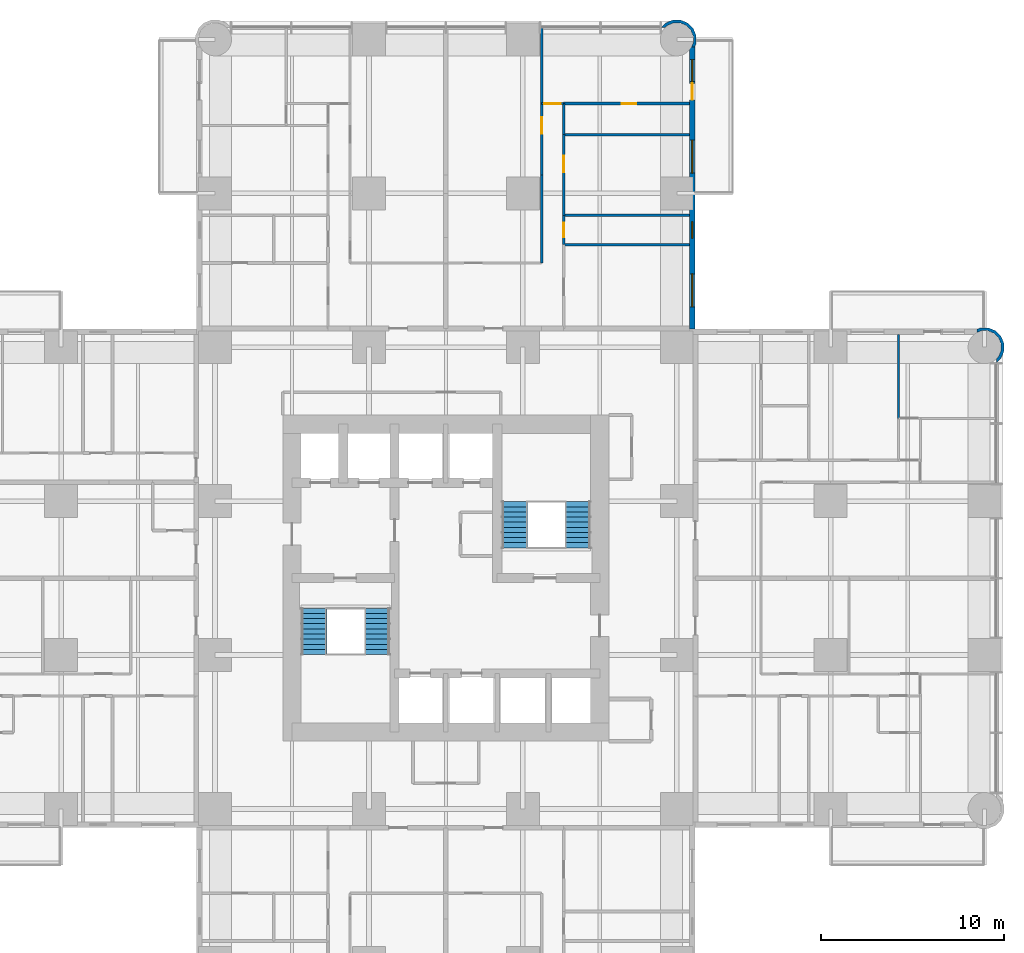
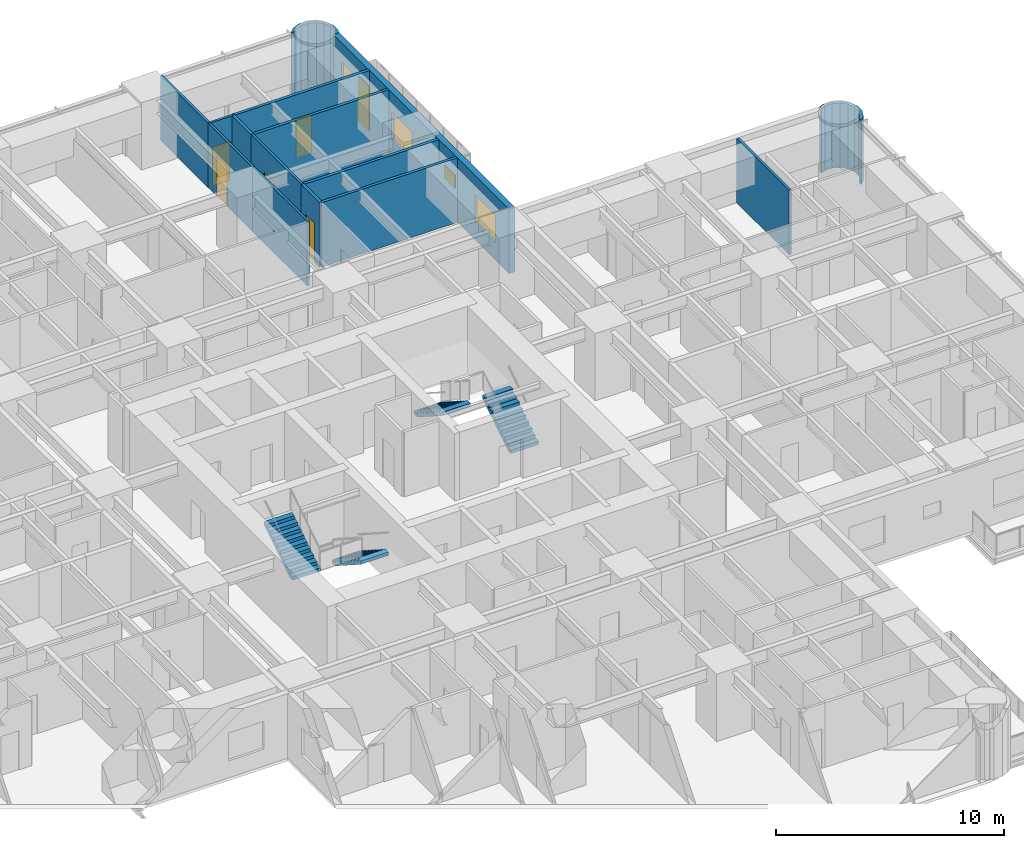
# One storey, part 15 of 17: 15 walls, 6 doors, 4 stair flights, 4 windows, 10 openings, 2 elements without a shape of their own.
"""IFC4 building model written with IfcOpenShell, lengths in metres."""

from ifc_helpers import new_model, si_unit, direction, frame, frame_2d, origin, place, context, subcontext, project, spatial, polyline, rectangle, outline, extrude, material, layer, layer_set, type_object, element, fill, aggregate, save


model = new_model("IFC4")

# Units and contexts
model_context = context("Model", 3, precision=1e-05, world=origin(), true_north=direction((0.0, 1.0)))
body_context = subcontext(model_context, "Body", "Model", "MODEL_VIEW")
ifc_project = project(units=[si_unit("LENGTHUNIT", "METRE"), si_unit("AREAUNIT", "SQUARE_METRE"), si_unit("VOLUMEUNIT", "CUBIC_METRE"), si_unit("PLANEANGLEUNIT", "RADIAN"), si_unit("MASSUNIT", "GRAM", prefix="KILO")], contexts=[model_context])

# Site, building, storey
site_placement = place(None, origin())
site = spatial("IfcSite", under=ifc_project, at=site_placement, CompositionType="ELEMENT")
building_placement = place(site_placement, origin())
building = spatial("IfcBuilding", under=site, at=building_placement, Name="Torre Alcanfor", CompositionType="ELEMENT")
storey_placement = place(building_placement, frame((0.0, 0.0, 45.300048828125)))
storey = spatial("IfcBuildingStorey", under=building, at=storey_placement, Name="L10", CompositionType="ELEMENT", Elevation=45.300048828125)

# Wall
ifc_material_1 = material(Name="Gypsum board on steel studs", Category="steel")
ifc_layer_1 = layer(ifc_material_1, 0.1201171875)
ifc_layer_set_1 = layer_set([ifc_layer_1], Name="Apartment partition 120")
wall_type_1 = type_object("IfcWallType", Name="Apartment partition 120", PredefinedType="PARTITIONING", material=ifc_layer_set_1)
wall_1_placement = place(storey_placement, frame((34.62890625, 51.39990234375, 0.0), z_axis=(0.0, 0.0, 1.0), x_axis=(0.0, -1.0, 0.0)))
element("IfcWall", 1, at=wall_1_placement, inside=storey, type_object=wall_type_1, Name="Partition L10-N2-KITCHEN / L10-N2-HALL", PredefinedType="PARTITIONING", context=body_context, shape_type="SweptSolid", body=[
    extrude(rectangle(XDim=4.7998046875, YDim=0.1201171875, at=frame_2d((2.39990234375, 0.0))), origin(), (0.0, 0.0, 1.0), 3.449951171875),
])

# Wall, opening, door
wall_2_placement = place(storey_placement, frame((34.62890625, 55.300048828125, 0.0), z_axis=(0.0, 0.0, 1.0), x_axis=(0.0, -1.0, 0.0)))
wall_2 = element("IfcWall", 2, at=wall_2_placement, inside=storey, type_object=wall_type_1, Name="Partition L10-N2-LIVING / L10-N2-HALL", PredefinedType="PARTITIONING", context=body_context, shape_type="SweptSolid", body=[
    extrude(rectangle(XDim=3.900146484375, YDim=0.1201171875, at=frame_2d((1.9501953125, 0.0))), origin(), (0.0, 0.0, 1.0), 3.449951171875),
])
opening_1_placement = place(wall_2_placement, frame((0.75, 0.0, 0.0)))
opening_1 = element("IfcOpeningElement", 3, at=opening_1_placement, cuts=wall_2, Name="Opening D-R1", PredefinedType="OPENING", context=body_context, shape_type="SweptSolid", body=[
    extrude(rectangle(XDim=0.89990234375, YDim=2.10009765625, at=frame_2d((0.449951171875, 1.050048828125))), frame((0.0, 0.070068359375, 0.0), z_axis=(0.0, -1.0, 0.0), x_axis=(1.0, 0.0, 0.0)), (0.0, 0.0, 1.0), 0.14013671875),
])
ifc_material_2 = material(Name="Timber", Category="wood")
door_type_1 = type_object("IfcDoorType", Name="Internal door 900x2100", OperationType="SINGLE_SWING_LEFT", PredefinedType="DOOR", material=ifc_material_2)
door_1_placement = place(opening_1_placement, frame((0.89990234375, 0.0, 0.0), z_axis=(0.0, 0.0, 1.0), x_axis=(-1.0, 0.0, 0.0)))
door_1 = element("IfcDoor", 4, at=door_1_placement, inside=storey, type_object=door_type_1, Name="Door L10-N2 living", OperationType="SINGLE_SWING_LEFT", OverallHeight=2.10009765625, OverallWidth=0.89990234375, PredefinedType="DOOR", context=body_context, shape_type="SweptSolid", body=[
    extrude(rectangle(XDim=0.89990234375, YDim=2.10009765625, at=frame_2d((0.449951171875, 1.050048828125))), frame((0.0, 0.025146484375, 0.0), z_axis=(0.0, -1.0, 0.0), x_axis=(1.0, 0.0, 0.0)), (0.0, 0.0, 1.0), 0.050048828125),
])
fill(opening_1, door_1)

# Wall
wall_3_placement = place(storey_placement, frame((34.62890625, 59.449951171875, 0.0), z_axis=(0.0, 0.0, 1.0), x_axis=(0.0, -1.0, 0.0)))
element("IfcWall", 5, at=wall_3_placement, inside=storey, type_object=wall_type_1, Name="Partition L10-N2-LIVING / L10-N2-MASTER", PredefinedType="PARTITIONING", context=body_context, shape_type="SweptSolid", body=[
    extrude(rectangle(XDim=4.14990234375, YDim=0.1201171875, at=frame_2d((2.074951171875, 0.0))), origin(), (0.0, 0.0, 1.0), 3.449951171875),
])

# Wall, opening, door
wall_4_placement = place(storey_placement, frame((35.8291015625, 53.60009765625, 0.0), z_axis=(0.0, 0.0, 1.0), x_axis=(0.0, -1.0, 0.0)))
wall_4 = element("IfcWall", 6, at=wall_4_placement, inside=storey, type_object=wall_type_1, Name="Partition L10-N2-HALL / L10-N2-BED2", PredefinedType="PARTITIONING", context=body_context, shape_type="SweptSolid", body=[
    extrude(rectangle(XDim=4.400146484375, YDim=0.1201171875, at=frame_2d((2.2001953125, 0.0))), origin(), (0.0, 0.0, 1.0), 3.449951171875),
])
opening_2_placement = place(wall_4_placement, frame((1.14990234375, 0.0, 0.0)))
opening_2 = element("IfcOpeningElement", 7, at=opening_2_placement, cuts=wall_4, Name="Opening D-R1", PredefinedType="OPENING", context=body_context, shape_type="SweptSolid", body=[
    extrude(rectangle(XDim=0.89990234375, YDim=2.10009765625, at=frame_2d((0.449951171875, 1.050048828125))), frame((0.0, 0.070068359375, 0.0), z_axis=(0.0, -1.0, 0.0), x_axis=(1.0, 0.0, 0.0)), (0.0, 0.0, 1.0), 0.14013671875),
])
door_2_placement = place(opening_2_placement, origin())
door_2 = element("IfcDoor", 8, at=door_2_placement, inside=storey, type_object=door_type_1, Name="Door L10-N2 bed2", OperationType="SINGLE_SWING_LEFT", OverallHeight=2.10009765625, OverallWidth=0.89990234375, PredefinedType="DOOR", context=body_context, shape_type="SweptSolid", body=[
    extrude(rectangle(XDim=0.89990234375, YDim=2.10009765625, at=frame_2d((0.449951171875, 1.050048828125))), frame((0.0, 0.02490234375, 0.0), z_axis=(0.0, -1.0, 0.0), x_axis=(1.0, 0.0, 0.0)), (0.0, 0.0, 1.0), 0.050048828125),
])
fill(opening_2, door_2)

wall_5_placement = place(storey_placement, frame((34.62890625, 55.300048828125, 0.0), z_axis=(0.0, 0.0, 1.0), x_axis=(1.0, 0.0, 0.0)))
wall_5 = element("IfcWall", 9, at=wall_5_placement, inside=storey, type_object=wall_type_1, Name="Partition L10-N2-HALL / L10-N2-MASTER", PredefinedType="PARTITIONING", context=body_context, shape_type="SweptSolid", body=[
    extrude(rectangle(XDim=1.2001953125, YDim=0.1201171875, at=frame_2d((0.60009765625, 0.0))), origin(), (0.0, 0.0, 1.0), 3.449951171875),
])
opening_3_placement = place(wall_5_placement, frame((0.15087890625, 0.0, 0.0)))
opening_3 = element("IfcOpeningElement", 10, at=opening_3_placement, cuts=wall_5, Name="Opening D-R1", PredefinedType="OPENING", context=body_context, shape_type="SweptSolid", body=[
    extrude(rectangle(XDim=0.89990234375, YDim=2.10009765625, at=frame_2d((0.449951171875, 1.050048828125))), frame((0.0, 0.070068359375, 0.0), z_axis=(0.0, -1.0, 0.0), x_axis=(1.0, 0.0, 0.0)), (0.0, 0.0, 1.0), 0.14013671875),
])
door_3_placement = place(opening_3_placement, origin())
door_3 = element("IfcDoor", 11, at=door_3_placement, inside=storey, type_object=door_type_1, Name="Door L10-N2 master", OperationType="SINGLE_SWING_LEFT", OverallHeight=2.10009765625, OverallWidth=0.89990234375, PredefinedType="DOOR", context=body_context, shape_type="SweptSolid", body=[
    extrude(rectangle(XDim=0.89990234375, YDim=2.10009765625, at=frame_2d((0.449951171875, 1.050048828125))), frame((0.0, 0.02490234375, 0.0), z_axis=(0.0, -1.0, 0.0), x_axis=(1.0, 0.0, 0.0)), (0.0, 0.0, 1.0), 0.050048828125),
])
fill(opening_3, door_3)

# Wall
wall_6_placement = place(storey_placement, frame((54.10009765625, 38.114013671875, 0.0), z_axis=(0.0, 0.0, 1.0), x_axis=(0.0, 1.0, 0.0)))
element("IfcWall", 12, at=wall_6_placement, inside=storey, type_object=wall_type_1, Name="Partition L10-E1-BED3 / L10-E1-MASTER", PredefinedType="PARTITIONING", context=body_context, shape_type="SweptSolid", body=[
    extrude(rectangle(XDim=4.5859375, YDim=0.1201171875, at=frame_2d((2.29296875, 0.0))), origin(), (0.0, 0.0, 1.0), 3.449951171875),
])

# Wall, openings, door, windows
ifc_material_3 = material(Name="Limestone cladding", Category="masonry")
ifc_layer_2 = layer(ifc_material_3, 0.0400390625, Name="Facing")
ifc_material_4 = material(Name="Ventilated air cavity")
ifc_layer_3 = layer(ifc_material_4, 0.02001953125, ventilated=True, Name="Ventilated joint")
ifc_material_5 = material(Name="Mineral wool insulation", Category="insulation")
ifc_layer_4 = layer(ifc_material_5, 0.10009765625, Name="Insulation")
ifc_material_6 = material(Name="Concrete f'c 35 MPa", Category="concrete")
ifc_layer_5 = layer(ifc_material_6, 0.139892578125, Name="Backing")
ifc_layer_set_2 = layer_set([ifc_layer_2, ifc_layer_3, ifc_layer_4, ifc_layer_5], Name="External wall stone-clad 300")
wall_type_2 = type_object("IfcWallType", Name="External wall stone-clad 300", PredefinedType="SOLIDWALL", material=ifc_layer_set_2)
wall_7_placement = place(storey_placement, frame((42.85009765625, 43.0, 0.0), z_axis=(0.0, 0.0, 1.0), x_axis=(0.0, 1.0, 0.0)))
wall_7 = element("IfcWall", 13, at=wall_7_placement, inside=storey, type_object=wall_type_2, Name="External wall L10 10", PredefinedType="SOLIDWALL", context=body_context, shape_type="SweptSolid", body=[
    extrude(rectangle(XDim=15.39990234375, YDim=0.300048828125, at=frame_2d((7.699951171875, 0.0))), origin(), (0.0, 0.0, 1.0), 3.449951171875),
])
opening_4_placement = place(wall_7_placement, frame((1.199951171875, 0.0, 0.89990234375)))
opening_4 = element("IfcOpeningElement", 14, at=opening_4_placement, cuts=wall_7, Name="Opening W2", PredefinedType="OPENING", context=body_context, shape_type="SweptSolid", body=[
    extrude(rectangle(XDim=1.800048828125, YDim=1.5, at=frame_2d((0.89990234375, 0.75))), frame((0.0, 0.159912109375, 0.0), z_axis=(0.0, -1.0, 0.0), x_axis=(1.0, 0.0, 0.0)), (0.0, 0.0, 1.0), 0.320068359375),
])
opening_5_placement = place(wall_7_placement, frame((4.949951171875, 0.0, 1.5)))
opening_5 = element("IfcOpeningElement", 15, at=opening_5_placement, cuts=wall_7, Name="Opening W3", PredefinedType="OPENING", context=body_context, shape_type="SweptSolid", body=[
    extrude(rectangle(XDim=0.89990234375, YDim=0.699951171875, at=frame_2d((0.449951171875, 0.35009765625))), frame((0.0, 0.159912109375, 0.0), z_axis=(0.0, -1.0, 0.0), x_axis=(1.0, 0.0, 0.0)), (0.0, 0.0, 1.0), 0.320068359375),
])
opening_6_placement = place(wall_7_placement, frame((8.5, 0.0, 0.89990234375)))
opening_6 = element("IfcOpeningElement", 16, at=opening_6_placement, cuts=wall_7, Name="Opening W2", PredefinedType="OPENING", context=body_context, shape_type="SweptSolid", body=[
    extrude(rectangle(XDim=1.800048828125, YDim=1.5, at=frame_2d((0.89990234375, 0.75))), frame((0.0, 0.159912109375, 0.0), z_axis=(0.0, -1.0, 0.0), x_axis=(1.0, 0.0, 0.0)), (0.0, 0.0, 1.0), 0.320068359375),
])
opening_7_placement = place(wall_7_placement, frame((12.5, 0.0, 0.0)))
opening_7 = element("IfcOpeningElement", 17, at=opening_7_placement, cuts=wall_7, Name="Opening D-B1", PredefinedType="OPENING", context=body_context, shape_type="SweptSolid", body=[
    extrude(rectangle(XDim=0.89990234375, YDim=2.39990234375, at=frame_2d((0.449951171875, 1.199951171875))), frame((0.0, 0.159912109375, 0.0), z_axis=(0.0, -1.0, 0.0), x_axis=(1.0, 0.0, 0.0)), (0.0, 0.0, 1.0), 0.320068359375),
])
opening_8_placement = place(wall_7_placement, frame((13.5, 0.0, 0.89990234375)))
opening_8 = element("IfcOpeningElement", 18, at=opening_8_placement, cuts=wall_7, Name="Opening W4", PredefinedType="OPENING", context=body_context, shape_type="SweptSolid", body=[
    extrude(rectangle(XDim=1.199951171875, YDim=1.5, at=frame_2d((0.60009765625, 0.75))), frame((0.0, 0.159912109375, 0.0), z_axis=(0.0, -1.0, 0.0), x_axis=(1.0, 0.0, 0.0)), (0.0, 0.0, 1.0), 0.320068359375),
])
ifc_material_7 = material(Name="Aluminium and glass", Category="aluminium")
door_type_2 = type_object("IfcDoorType", Name="Balcony door glazed 900x2400", OperationType="SINGLE_SWING_LEFT", PredefinedType="DOOR", material=ifc_material_7)
door_4_placement = place(opening_7_placement, origin())
door_4 = element("IfcDoor", 19, at=door_4_placement, inside=storey, type_object=door_type_2, Name="Balcony door L10-N2", OperationType="SINGLE_SWING_LEFT", OverallHeight=2.39990234375, OverallWidth=0.89990234375, PredefinedType="DOOR", context=body_context, shape_type="SweptSolid", body=[
    extrude(rectangle(XDim=0.89990234375, YDim=2.39990234375, at=frame_2d((0.449951171875, 1.199951171875))), frame((0.0, 0.02490234375, 0.0), z_axis=(0.0, -1.0, 0.0), x_axis=(1.0, 0.0, 0.0)), (0.0, 0.0, 1.0), 0.050048828125),
])
fill(opening_7, door_4)
ifc_material_8 = material(Name="Aluminium frame with clear double glazing", Category="aluminium")
window_type_1 = type_object("IfcWindowType", Name="Window bathroom 900x700", PartitioningType="SINGLE_PANEL", PredefinedType="WINDOW", material=ifc_material_8)
window_1_placement = place(opening_5_placement, origin())
window_1 = element("IfcWindow", 20, at=window_1_placement, inside=storey, type_object=window_type_1, Name="Window W3 L10-N2", OverallHeight=0.699951171875, OverallWidth=0.89990234375, PartitioningType="SINGLE_PANEL", PredefinedType="WINDOW", context=body_context, shape_type="SweptSolid", body=[
    extrude(rectangle(XDim=0.89990234375, YDim=0.699951171875, at=frame_2d((0.449951171875, 0.35009765625))), frame((0.0, 0.030029296875, 0.0), z_axis=(0.0, -1.0, 0.0), x_axis=(1.0, 0.0, 0.0)), (0.0, 0.0, 1.0), 0.06005859375),
])
fill(opening_5, window_1)
ifc_material_9 = material(Name="Aluminium frame with clear double glazing", Category="aluminium")
window_type_2 = type_object("IfcWindowType", Name="Window bedroom 1200x1500", PartitioningType="SINGLE_PANEL", PredefinedType="WINDOW", material=ifc_material_9)
window_2_placement = place(opening_8_placement, origin())
window_2 = element("IfcWindow", 21, at=window_2_placement, inside=storey, type_object=window_type_2, Name="Window W4 L10-N2", OverallHeight=1.5, OverallWidth=1.199951171875, PartitioningType="SINGLE_PANEL", PredefinedType="WINDOW", context=body_context, shape_type="SweptSolid", body=[
    extrude(rectangle(XDim=1.199951171875, YDim=1.5, at=frame_2d((0.60009765625, 0.75))), frame((0.0, 0.030029296875, 0.0), z_axis=(0.0, -1.0, 0.0), x_axis=(1.0, 0.0, 0.0)), (0.0, 0.0, 1.0), 0.06005859375),
])
fill(opening_8, window_2)
ifc_material_10 = material(Name="Aluminium frame with clear double glazing", Category="aluminium")
window_type_3 = type_object("IfcWindowType", Name="Window bedroom 1800x1500", PartitioningType="SINGLE_PANEL", PredefinedType="WINDOW", material=ifc_material_10)
window_3_placement = place(opening_4_placement, origin())
window_3 = element("IfcWindow", 22, at=window_3_placement, inside=storey, type_object=window_type_3, Name="Window W2 L10-N2", OverallHeight=1.5, OverallWidth=1.800048828125, PartitioningType="SINGLE_PANEL", PredefinedType="WINDOW", context=body_context, shape_type="SweptSolid", body=[
    extrude(rectangle(XDim=1.800048828125, YDim=1.5, at=frame_2d((0.89990234375, 0.75))), frame((0.0, 0.030029296875, 0.0), z_axis=(0.0, -1.0, 0.0), x_axis=(1.0, 0.0, 0.0)), (0.0, 0.0, 1.0), 0.06005859375),
])
fill(opening_4, window_3)
window_4_placement = place(opening_6_placement, origin())
window_4 = element("IfcWindow", 23, at=window_4_placement, inside=storey, type_object=window_type_3, Name="Window W2 L10-N2", OverallHeight=1.5, OverallWidth=1.800048828125, PartitioningType="SINGLE_PANEL", PredefinedType="WINDOW", context=body_context, shape_type="SweptSolid", body=[
    extrude(rectangle(XDim=1.800048828125, YDim=1.5, at=frame_2d((0.89990234375, 0.75))), frame((0.0, 0.030029296875, 0.0), z_axis=(0.0, -1.0, 0.0), x_axis=(1.0, 0.0, 0.0)), (0.0, 0.0, 1.0), 0.06005859375),
])
fill(opening_6, window_4)

# Walls
ifc_layer_6 = layer(ifc_material_3, 0.0400390625, Name="Facing")
ifc_layer_7 = layer(ifc_material_4, 0.02001953125, ventilated=True, Name="Ventilated joint")
ifc_layer_8 = layer(ifc_material_5, 0.10009765625, Name="Insulation")
ifc_layer_9 = layer(ifc_material_6, 0.139892578125, Name="Backing")
ifc_layer_set_3 = layer_set([ifc_layer_6, ifc_layer_7, ifc_layer_8, ifc_layer_9], Name="Rounded corner pier stone-clad 300")
wall_type_3 = type_object("IfcWallType", Name="Rounded corner pier stone-clad 300", PredefinedType="SOLIDWALL", material=ifc_layer_set_3)
wall_8_placement = place(storey_placement, frame((59.410519256, 41.23340608, 0.0), z_axis=(0.0, 0.0, 1.0), x_axis=(0.926129809145, 0.377204953059, 0.0)))
element("IfcWall", 24, at=wall_8_placement, inside=storey, type_object=wall_type_3, Name="Corner pier L10 18", PredefinedType="SOLIDWALL", context=body_context, shape_type="SweptSolid", body=[
    extrude(outline(polyline([(0.6260654471319579, 0.34524919711057256), (0.7850146045978224, 0.7355079985228963), (0.7823098124660501, 1.1573373086599013), (0.6187697625812524, 1.546081906916958), (0.31877691555394516, 1.8425152342918512), (-0.07170799176881437, 2.0015564828107086), (-0.24004949470661174, 2.000526523212158), (-0.2695944713928893, 2.0173049949130335), (-0.36998902843916337, 1.8407134525266757), (-0.10235758996356603, 1.8421635923174307), (0.22956588655630128, 1.7069739265237522), (0.4845024203782949, 1.4552530429107593), (0.6236098424040335, 1.1249645948716174), (0.6257138051575375, 0.7663837026280839), (0.49052413936385914, 0.43446022610821644), (0.23848505878743742, 0.1793896774287799), (0.09020527382959523, 0.11693875386038477), (0.010914877202648991, -0.0777384350249053), (0.02448123182880161, -0.08326389820448342), (0.32940601384662893, 0.045348441136258355), (0.47997135267738844, 0.19755163478368112), (0.49907282709518125, 0.19267151555903828), (0.5076193949673722, 0.22530566424262682), (0.6260654471319579, 0.34524919711057256)])), origin(), (0.0, 0.0, 1.0), 3.449951171875),
])
wall_9_placement = place(storey_placement, frame((42.909907157, 58.436037137, 0.0), z_axis=(0.0, 0.0, 1.0), x_axis=(0.377204953059, 0.926129809145, 0.0)))
element("IfcWall", 25, at=wall_9_placement, inside=storey, type_object=wall_type_3, Name="Corner pier L10 19", PredefinedType="SOLIDWALL", context=body_context, shape_type="SweptSolid", body=[
    extrude(outline(polyline([(0.7691852559267269, 1.7275655888693722), (0.7500837815089341, 1.7226854696447296), (0.5995184426781746, 1.8748886632921522), (0.2945936606603473, 2.0035010026328943), (0.2810273060341947, 1.997975539453316), (0.36031770266114094, 1.803298350568026), (0.5085974876189833, 1.7408474269996308), (0.7606365681954048, 1.4857768783201941), (0.8958262339890831, 1.1538534018003268), (0.8937222712355792, 0.7952725095567933), (0.7546148492098406, 0.46498406151765126), (0.499678315387847, 0.21326317790465843), (0.16775483886797962, 0.07807351211098004), (-0.09987659960761772, 0.07952365190173498), (0.0005179574386563676, -0.09706789048462287), (0.030062934124933945, -0.08028941878374739), (0.19840443706273136, -0.08131937838229769), (0.5888893443854909, 0.07772187013655965), (0.888882191412798, 0.3741551975114527), (1.0524222412975957, 0.7628997957685094), (1.0551270334293679, 1.1847291059055145), (0.8961778759635035, 1.5749879073178383), (0.7777318237989179, 1.6949314401857838), (0.7691852559267269, 1.7275655888693722)])), origin(), (0.0, 0.0, 1.0), 3.449951171875),
])

# Wall, opening, door
ifc_material_11 = material(Name="Cement board on steel studs", Category="steel")
ifc_layer_10 = layer(ifc_material_11, 0.14990234375)
ifc_layer_set_4 = layer_set([ifc_layer_10], Name="Wet area partition 150")
wall_type_4 = type_object("IfcWallType", Name="Wet area partition 150", PredefinedType="PARTITIONING", material=ifc_layer_set_4)
wall_10_placement = place(storey_placement, frame((35.8291015625, 49.199951171875, 0.0), z_axis=(0.0, 0.0, 1.0), x_axis=(0.0, -1.0, 0.0)))
wall_10 = element("IfcWall", 26, at=wall_10_placement, inside=storey, type_object=wall_type_4, Name="Partition L10-N2-HALL / L10-N2-BATH1", PredefinedType="PARTITIONING", context=body_context, shape_type="SweptSolid", body=[
    extrude(rectangle(XDim=1.599853515625, YDim=0.14990234375, at=frame_2d((0.7998046875, 0.0))), origin(), (0.0, 0.0, 1.0), 3.449951171875),
])
opening_9_placement = place(wall_10_placement, frame((0.39990234375, 0.0, 0.0)))
opening_9 = element("IfcOpeningElement", 27, at=opening_9_placement, cuts=wall_10, Name="Opening D-R2", PredefinedType="OPENING", context=body_context, shape_type="SweptSolid", body=[
    extrude(rectangle(XDim=0.800048828125, YDim=2.10009765625, at=frame_2d((0.39990234375, 1.050048828125))), frame((0.0, 0.0849609375, 0.0), z_axis=(0.0, -1.0, 0.0), x_axis=(1.0, 0.0, 0.0)), (0.0, 0.0, 1.0), 0.169921875),
])
ifc_material_12 = material(Name="Timber", Category="wood")
door_type_3 = type_object("IfcDoorType", Name="Bathroom door 800x2100", OperationType="SINGLE_SWING_LEFT", PredefinedType="DOOR", material=ifc_material_12)
door_5_placement = place(opening_9_placement, origin())
door_5 = element("IfcDoor", 28, at=door_5_placement, inside=storey, type_object=door_type_3, Name="Door L10-N2 bath1", OperationType="SINGLE_SWING_LEFT", OverallHeight=2.10009765625, OverallWidth=0.800048828125, PredefinedType="DOOR", context=body_context, shape_type="SweptSolid", body=[
    extrude(rectangle(XDim=0.800048828125, YDim=2.10009765625, at=frame_2d((0.39990234375, 1.050048828125))), frame((0.0, 0.02490234375, 0.0), z_axis=(0.0, -1.0, 0.0), x_axis=(1.0, 0.0, 0.0)), (0.0, 0.0, 1.0), 0.050048828125),
])
fill(opening_9, door_5)

# Walls
wall_11_placement = place(storey_placement, frame((35.8291015625, 55.300048828125, 0.0), z_axis=(0.0, 0.0, 1.0), x_axis=(0.0, -1.0, 0.0)))
element("IfcWall", 29, at=wall_11_placement, inside=storey, type_object=wall_type_4, Name="Partition L10-N2-HALL / L10-N2-ENSBATH", PredefinedType="PARTITIONING", context=body_context, shape_type="SweptSolid", body=[
    extrude(rectangle(XDim=1.699951171875, YDim=0.14990234375, at=frame_2d((0.85009765625, 0.0))), origin(), (0.0, 0.0, 1.0), 3.449951171875),
])
for number, where, z_axis, x_axis, name in (
    (30, (35.8291015625, 47.60009765625, 0.0), (0.0, 0.0, 1.0), (1.0, 0.0, 0.0), "Partition L10-N2-BED3 / L10-N2-BATH1"),
    (31, (35.8291015625, 49.199951171875, 0.0), (0.0, 0.0, 1.0), (1.0, 0.0, 0.0), "Partition L10-N2-BATH1 / L10-N2-BED2"),
    (32, (35.8291015625, 53.60009765625, 0.0), (0.0, 0.0, 1.0), (1.0, 0.0, 0.0), "Partition L10-N2-BED2 / L10-N2-ENSBATH"),
):
    element("IfcWall", number, at=place(storey_placement, frame(where, z_axis=z_axis, x_axis=x_axis)), inside=storey, type_object=wall_type_4, Name=name, PredefinedType="PARTITIONING", context=body_context, shape_type="SweptSolid", body=[
        extrude(rectangle(XDim=6.870849609375, YDim=0.14990234375, at=frame_2d((3.435546875, 0.0))), origin(), (0.0, 0.0, 1.0), 3.449951171875),
    ])

# Wall, opening, door
wall_12_placement = place(storey_placement, frame((35.8291015625, 55.300048828125, 0.0), z_axis=(0.0, 0.0, 1.0), x_axis=(1.0, 0.0, 0.0)))
wall_12 = element("IfcWall", 33, at=wall_12_placement, inside=storey, type_object=wall_type_4, Name="Partition L10-N2-ENSBATH / L10-N2-MASTER", PredefinedType="PARTITIONING", context=body_context, shape_type="SweptSolid", body=[
    extrude(rectangle(XDim=6.870849609375, YDim=0.14990234375, at=frame_2d((3.435546875, 0.0))), origin(), (0.0, 0.0, 1.0), 3.449951171875),
])
opening_10_placement = place(wall_12_placement, frame((3.1708984375, 0.0, 0.0)))
opening_10 = element("IfcOpeningElement", 34, at=opening_10_placement, cuts=wall_12, Name="Opening D-R2", PredefinedType="OPENING", context=body_context, shape_type="SweptSolid", body=[
    extrude(rectangle(XDim=0.800048828125, YDim=2.10009765625, at=frame_2d((0.39990234375, 1.050048828125))), frame((0.0, 0.0849609375, 0.0), z_axis=(0.0, -1.0, 0.0), x_axis=(1.0, 0.0, 0.0)), (0.0, 0.0, 1.0), 0.169921875),
])
door_6_placement = place(opening_10_placement, frame((0.800048828125, 0.0, 0.0), z_axis=(0.0, 0.0, 1.0), x_axis=(-1.0, 0.0, 0.0)))
door_6 = element("IfcDoor", 35, at=door_6_placement, inside=storey, type_object=door_type_3, Name="Door L10-N2 ensbath", OperationType="SINGLE_SWING_LEFT", OverallHeight=2.10009765625, OverallWidth=0.800048828125, PredefinedType="DOOR", context=body_context, shape_type="SweptSolid", body=[
    extrude(rectangle(XDim=0.800048828125, YDim=2.10009765625, at=frame_2d((0.400146484375, 1.050048828125))), frame((0.0, 0.025146484375, 0.0), z_axis=(0.0, -1.0, 0.0), x_axis=(1.0, 0.0, 0.0)), (0.0, 0.0, 1.0), 0.050048828125),
])
fill(opening_10, door_6)

# Stair, stair flights
ifc_material_13 = material(Name="Concrete f'c 35 MPa", Category="concrete")
stair_type_1 = type_object("IfcStairType", Name="Exit stair S1 1400 wide", PredefinedType="HALF_TURN_STAIR", material=ifc_material_13)
stair_1_placement = place(storey_placement, origin())
stair_1 = element("IfcStair", 36, at=stair_1_placement, inside=storey, type_object=stair_type_1, Name="Stair S1 L10 to L11", PredefinedType="HALF_TURN_STAIR")
ifc_material_14 = material(Name="Concrete f'c 35 MPa", Category="concrete")
stair_flight_type = type_object("IfcStairFlightType", Name="Stair flight 1400", PredefinedType="STRAIGHT", material=ifc_material_14)
stair_flight_1_placement = place(storey_placement, frame((25.64990234375, 27.75, 0.0), z_axis=(0.0, 0.0, 1.0), x_axis=(0.0, -1.0, 0.0)))
stair_flight_1 = element("IfcStairFlight", 37, at=stair_flight_1_placement, type_object=stair_flight_type, Name="S1 flight 1", NumberOfRisers=10, NumberOfTreads=9, PredefinedType="STRAIGHT", RiserHeight=0.18, TreadLength=0.28, context=body_context, shape_type="SweptSolid", body=[
    extrude(outline(polyline([(0.0, 0.0), (0.0, 0.179931640625), (0.280029296875, 0.179931640625), (0.280029296875, 0.360107421875), (0.56005859375, 0.360107421875), (0.56005859375, 0.5400390625), (0.840087890625, 0.5400390625), (0.840087890625, 0.719970703125), (1.1201171875, 0.719970703125), (1.1201171875, 0.89990234375), (1.39990234375, 0.89990234375), (1.39990234375, 1.080078125), (1.679931640625, 1.080078125), (1.679931640625, 1.260009765625), (1.9599609375, 1.260009765625), (1.9599609375, 1.43994140625), (2.239990234375, 1.43994140625), (2.239990234375, 1.6201171875), (2.52001953125, 1.6201171875), (2.52001953125, 1.800048828125), (2.52001953125, 1.44189453125), (0.277099609375, 0.0), (0.0, 0.0)])), frame((0.0, 0.699951171875, 0.0), z_axis=(0.0, -1.0, 0.0), x_axis=(1.0, 0.0, 0.0)), (0.0, 0.0, 1.0), 1.39990234375),
])
stair_flight_2_placement = place(storey_placement, frame((22.199951171875, 25.22998046875, 1.800048828125), z_axis=(0.0, 0.0, 1.0), x_axis=(0.0, 1.0, 0.0)))
stair_flight_2 = element("IfcStairFlight", 38, at=stair_flight_2_placement, type_object=stair_flight_type, Name="S1 flight 2", NumberOfRisers=10, NumberOfTreads=9, PredefinedType="STRAIGHT", RiserHeight=0.18, TreadLength=0.28, context=body_context, shape_type="SweptSolid", body=[
    extrude(outline(polyline([(0.0, 0.0), (0.0, 0.179931640625), (0.280029296875, 0.179931640625), (0.280029296875, 0.360107421875), (0.56005859375, 0.360107421875), (0.56005859375, 0.5400390625), (0.840087890625, 0.5400390625), (0.840087890625, 0.719970703125), (1.1201171875, 0.719970703125), (1.1201171875, 0.89990234375), (1.39990234375, 0.89990234375), (1.39990234375, 1.080078125), (1.679931640625, 1.080078125), (1.679931640625, 1.260009765625), (1.9599609375, 1.260009765625), (1.9599609375, 1.43994140625), (2.239990234375, 1.43994140625), (2.239990234375, 1.6201171875), (2.52001953125, 1.6201171875), (2.52001953125, 1.800048828125), (2.52001953125, 1.44189453125), (0.277099609375, 0.0), (0.0, 0.0)])), frame((0.0, 0.699951171875, 0.0), z_axis=(0.0, -1.0, 0.0), x_axis=(1.0, 0.0, 0.0)), (0.0, 0.0, 1.0), 1.39990234375),
])
aggregate(stair_1, [stair_flight_1, stair_flight_2])

ifc_material_15 = material(Name="Concrete f'c 35 MPa", Category="concrete")
stair_type_2 = type_object("IfcStairType", Name="Exit stair S2 1400 wide", PredefinedType="HALF_TURN_STAIR", material=ifc_material_15)
stair_2_placement = place(storey_placement, origin())
stair_2 = element("IfcStair", 39, at=stair_2_placement, inside=storey, type_object=stair_type_2, Name="Stair S2 L10 to L11", PredefinedType="HALF_TURN_STAIR")
stair_flight_3_placement = place(storey_placement, frame((36.60009765625, 31.050048828125, 0.0), z_axis=(0.0, 0.0, 1.0), x_axis=(0.0, 1.0, 0.0)))
stair_flight_3 = element("IfcStairFlight", 40, at=stair_flight_3_placement, type_object=stair_flight_type, Name="S2 flight 1", NumberOfRisers=10, NumberOfTreads=9, PredefinedType="STRAIGHT", RiserHeight=0.18, TreadLength=0.28, context=body_context, shape_type="SweptSolid", body=[
    extrude(outline(polyline([(0.0, 0.0), (0.0, 0.179931640625), (0.280029296875, 0.179931640625), (0.280029296875, 0.360107421875), (0.56005859375, 0.360107421875), (0.56005859375, 0.5400390625), (0.840087890625, 0.5400390625), (0.840087890625, 0.719970703125), (1.1201171875, 0.719970703125), (1.1201171875, 0.89990234375), (1.39990234375, 0.89990234375), (1.39990234375, 1.080078125), (1.679931640625, 1.080078125), (1.679931640625, 1.260009765625), (1.9599609375, 1.260009765625), (1.9599609375, 1.43994140625), (2.239990234375, 1.43994140625), (2.239990234375, 1.6201171875), (2.52001953125, 1.6201171875), (2.52001953125, 1.800048828125), (2.52001953125, 1.44189453125), (0.277099609375, 0.0), (0.0, 0.0)])), frame((0.0, 0.699951171875, 0.0), z_axis=(0.0, -1.0, 0.0), x_axis=(1.0, 0.0, 0.0)), (0.0, 0.0, 1.0), 1.39990234375),
])
stair_flight_4_placement = place(storey_placement, frame((33.14990234375, 33.570068359375, 1.800048828125), z_axis=(0.0, 0.0, 1.0), x_axis=(0.0, -1.0, 0.0)))
stair_flight_4 = element("IfcStairFlight", 41, at=stair_flight_4_placement, type_object=stair_flight_type, Name="S2 flight 2", NumberOfRisers=10, NumberOfTreads=9, PredefinedType="STRAIGHT", RiserHeight=0.18, TreadLength=0.28, context=body_context, shape_type="SweptSolid", body=[
    extrude(outline(polyline([(0.0, 0.0), (0.0, 0.179931640625), (0.280029296875, 0.179931640625), (0.280029296875, 0.360107421875), (0.56005859375, 0.360107421875), (0.56005859375, 0.5400390625), (0.840087890625, 0.5400390625), (0.840087890625, 0.719970703125), (1.1201171875, 0.719970703125), (1.1201171875, 0.89990234375), (1.39990234375, 0.89990234375), (1.39990234375, 1.080078125), (1.679931640625, 1.080078125), (1.679931640625, 1.260009765625), (1.9599609375, 1.260009765625), (1.9599609375, 1.43994140625), (2.239990234375, 1.43994140625), (2.239990234375, 1.6201171875), (2.52001953125, 1.6201171875), (2.52001953125, 1.800048828125), (2.52001953125, 1.44189453125), (0.277099609375, 0.0), (0.0, 0.0)])), frame((0.0, 0.699951171875, 0.0), z_axis=(0.0, -1.0, 0.0), x_axis=(1.0, 0.0, 0.0)), (0.0, 0.0, 1.0), 1.39990234375),
])
aggregate(stair_2, [stair_flight_3, stair_flight_4])

save(model, "model.ifc")
